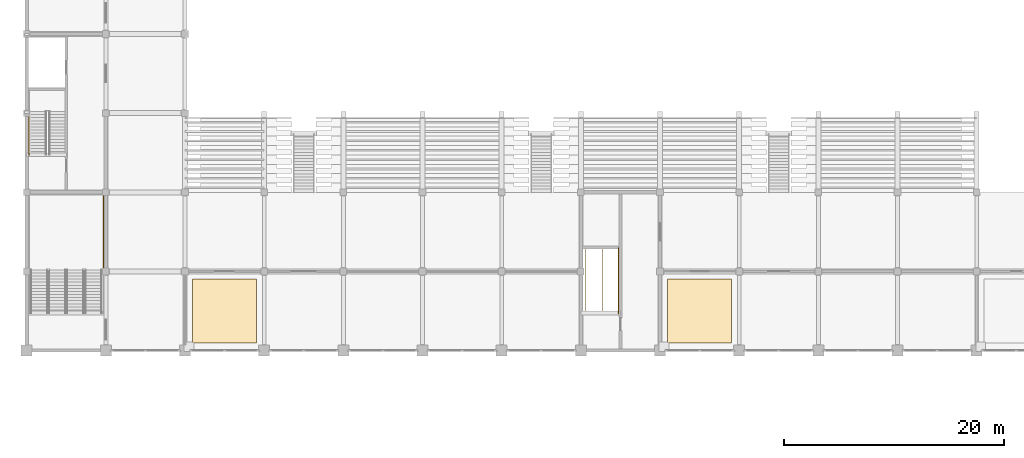
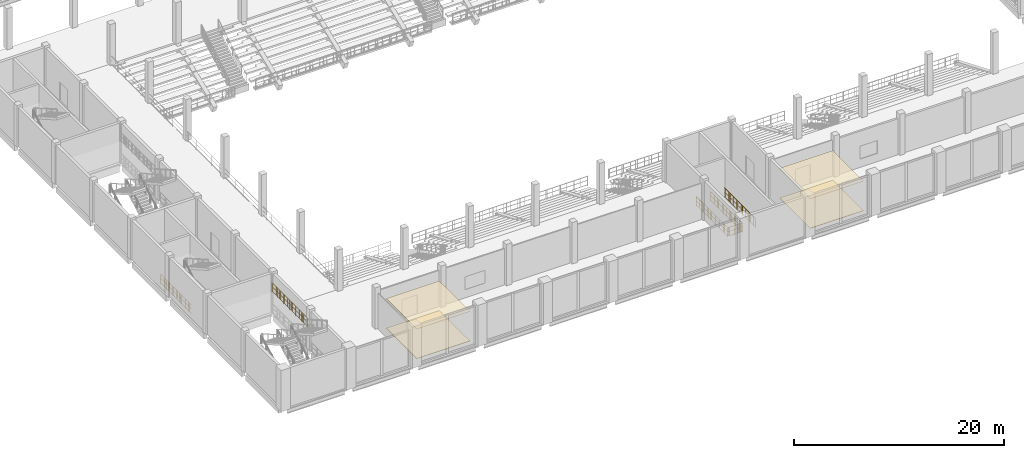
# One storey, part 80 of 99: 4 coverings, 4 railings.
"""IFC4 building model written with IfcOpenShell, lengths in metres."""

import ifcopenshell
import ifcopenshell.guid

model = None  # the IFC model being written
_history = None  # IfcOwnerHistory: only IFC2X3 demands one
_inside = {}  # id of a spatial element -> (the spatial element, [elements in it])
_under = {}  # id of a project, library or spatial element -> (it, [spatial elements below it])
_declared = {}  # id of a project -> (the project, [libraries it declares])
_typed = {}  # id of a type object -> (the type object, [elements of that type])
_made_of = {}  # id of a material, layer set ... -> (it, [elements and type objects made of it])


def new_model(schema):
    """Start an empty IFC model of exactly this schema.

    Asked for "IFC4X3", IfcOpenShell would pick the latest addendum, in which some entities
    have other attributes; the version numbers below select the first issue.
    IFC2X3 requires an IfcOwnerHistory on every rooted entity: one is made here for all.
    """
    global model, _history
    if schema == "IFC4X3":
        model = ifcopenshell.file(schema_version=(4, 3, 0, 0))
    else:
        model = ifcopenshell.file(schema=schema)
    _inside.clear()
    _under.clear()
    _declared.clear()
    _typed.clear()
    _made_of.clear()
    _history = None
    if model.schema == "IFC2X3":
        org = make("IfcOrganization", Name="unknown")
        user = make(
            "IfcPersonAndOrganization",
            ThePerson=make("IfcPerson", FamilyName="unknown"),
            TheOrganization=org,
        )
        app = make(
            "IfcApplication",
            ApplicationDeveloper=org,
            Version="unknown",
            ApplicationFullName="unknown",
            ApplicationIdentifier="unknown",
        )
        _history = make(
            "IfcOwnerHistory",
            OwningUser=user,
            OwningApplication=app,
            ChangeAction="ADDED",
            CreationDate=0,
        )
    return model


def make(cls, **values):
    """One entity of the class cls with the attributes given. An attribute that is None is left unset."""
    return model.create_entity(
        cls, **{name: value for name, value in values.items() if value is not None}
    )


def rooted(cls, **values):
    """An entity with a GlobalId (a new one), such as an element, a storey or a relation."""
    return make(cls, GlobalId=ifcopenshell.guid.new(), OwnerHistory=_history, **values)


def si_unit(unit_type, name, prefix=None):
    """IfcSIUnit, for example si_unit("LENGTHUNIT", "METRE", prefix="MILLI")."""
    return make("IfcSIUnit", UnitType=unit_type, Prefix=prefix, Name=name)


def assignment(units):
    """IfcUnitAssignment: the units of a project."""
    return None if units is None else make("IfcUnitAssignment", Units=units)


def point(xyz):
    """IfcCartesianPoint."""
    return None if xyz is None else make("IfcCartesianPoint", Coordinates=xyz)


def direction(xyz):
    """IfcDirection."""
    return None if xyz is None else make("IfcDirection", DirectionRatios=xyz)


def frame(location, z_axis=None, x_axis=None):
    """IfcAxis2Placement3D, a coordinate frame: its origin and axes. An axis left out is left unset."""
    return make(
        "IfcAxis2Placement3D",
        Location=point(location),
        Axis=direction(z_axis),
        RefDirection=direction(x_axis),
    )


def frame_2d(location, x_axis=None):
    """IfcAxis2Placement2D, a coordinate frame in the plane: its origin and x axis."""
    return make(
        "IfcAxis2Placement2D", Location=point(location), RefDirection=direction(x_axis)
    )


def origin():
    """The frame at (0, 0, 0) with its axes left unset."""
    return frame((0.0, 0.0, 0.0))


def origin_2d():
    """The frame at (0, 0) in the plane with its x axis left unset."""
    return frame_2d((0.0, 0.0))


def place(relative_to, where):
    """IfcLocalPlacement: puts the frame where relative to a parent placement (None: the world)."""
    return make(
        "IfcLocalPlacement", PlacementRelTo=relative_to, RelativePlacement=where
    )


def context(
    kind, dimensions, precision=None, world=None, true_north=None, identifier=None
):
    """IfcGeometricRepresentationContext, for example the 3D "Model" context."""
    return make(
        "IfcGeometricRepresentationContext",
        ContextIdentifier=identifier,
        ContextType=kind,
        CoordinateSpaceDimension=dimensions,
        Precision=precision,
        WorldCoordinateSystem=world,
        TrueNorth=true_north,
    )


def subcontext(parent, identifier, kind, view, scale=None):
    """IfcGeometricRepresentationSubContext, for example "Body" below "Model"."""
    return make(
        "IfcGeometricRepresentationSubContext",
        ContextIdentifier=identifier,
        ContextType=kind,
        ParentContext=parent,
        TargetScale=scale,
        TargetView=view,
    )


def project(units=None, contexts=None):
    """IfcProject with its units and contexts."""
    return rooted(
        "IfcProject",
        Name="project",
        RepresentationContexts=contexts,
        UnitsInContext=assignment(units),
    )


def spatial(cls, under=None, at=None, **own):
    """A site, building, storey or space (cls), placed at a placement, below another one or the project."""
    s = rooted(cls, ObjectPlacement=at, **own)
    if under is not None:
        _under.setdefault(under.id(), (under, []))[1].append(s)
    return s


def polyline(points):
    """IfcPolyline through the points."""
    return make("IfcPolyline", Points=[point(p) for p in points])


def profile(cls, at=None, kind="AREA", **sizes):
    """A parametric profile (cls). Its sizes go by their IFC names, for example OverallWidth=200.0."""
    return make(cls, ProfileType=kind, Position=at, **sizes)


def circle(**sizes):
    """IfcCircleProfileDef."""
    return profile("IfcCircleProfileDef", **sizes)


def outline(outer, holes=None, kind="AREA"):
    """IfcArbitraryClosedProfileDef: a profile drawn as a closed curve; with holes, ...WithVoids."""
    if holes is None:
        return make("IfcArbitraryClosedProfileDef", ProfileType=kind, OuterCurve=outer)
    return make(
        "IfcArbitraryProfileDefWithVoids",
        ProfileType=kind,
        OuterCurve=outer,
        InnerCurves=holes,
    )


def extrude(swept, where, along, depth):
    """IfcExtrudedAreaSolid: the profile swept, set in the frame where, extruded along a direction by depth."""
    return make(
        "IfcExtrudedAreaSolid",
        SweptArea=swept,
        Position=where,
        ExtrudedDirection=direction(along),
        Depth=depth,
    )


def shape(context_of_items, identifier, shape_type, items):
    """IfcShapeRepresentation: the items that make up one representation, for example the "Body"."""
    return make(
        "IfcShapeRepresentation",
        ContextOfItems=context_of_items,
        RepresentationIdentifier=identifier,
        RepresentationType=shape_type,
        Items=items,
    )


def material(Name=None, Category=None):
    """IfcMaterial."""
    return make("IfcMaterial", Name=Name, Category=Category)


def layer(
    of_material, thickness, ventilated=None, Name=None, Category=None, Priority=None
):
    """IfcMaterialLayer: one layer of a wall or slab, of a material (None: an air gap)."""
    return make(
        "IfcMaterialLayer",
        Material=of_material,
        LayerThickness=thickness,
        IsVentilated=ventilated,
        Name=Name,
        Category=Category,
        Priority=Priority,
    )


def layer_set(layers, Name=None):
    """IfcMaterialLayerSet."""
    return make("IfcMaterialLayerSet", MaterialLayers=layers, LayerSetName=Name)


def made_of(thing, what):
    """Note that an element or type object is made of a material, layer set ...; save() writes the relation."""
    if what is not None:
        _made_of.setdefault(what.id(), (what, []))[1].append(thing)
    return thing


def type_object(cls, material=None, **own):
    """A type object (cls), such as IfcWallType, which elements share."""
    return made_of(rooted(cls, **own), material)


def element(
    cls,
    number,
    at=None,
    inside=None,
    cuts=None,
    type_object=None,
    material=None,
    context=None,
    identifier="Body",
    shape_type=None,
    held_by="IfcProductDefinitionShape",
    body=None,
    shapes=None,
    **own,
):
    """One element of the class cls, such as IfcWall. Its Tag is "e" and its number.

    at: its placement. inside: the storey or other place that contains it. cuts: it is an
    opening in that element (IfcRelVoidsElement). A single representation is given by context,
    identifier, shape_type and body (its items); several are given by shapes. held_by: the class
    of the entity that holds the representations. save() writes the other relations.
    """
    e = rooted(cls, Tag="e%d" % number, ObjectPlacement=at, **own)
    if body is not None:
        shapes = [shape(context, identifier, shape_type, body)]
    if shapes is not None:
        e.Representation = make(held_by, Representations=shapes)
    if inside is not None:
        _inside.setdefault(inside.id(), (inside, []))[1].append(e)
    if cuts is not None:
        rooted(
            "IfcRelVoidsElement", RelatingBuildingElement=cuts, RelatedOpeningElement=e
        )
    if type_object is not None:
        _typed.setdefault(type_object.id(), (type_object, []))[1].append(e)
    return made_of(e, material)


def aggregate(whole, parts):
    """IfcRelAggregates: a whole, such as a stair, and the parts it consists of."""
    return rooted("IfcRelAggregates", RelatingObject=whole, RelatedObjects=parts)


def save(model, path):
    """Write the relations noted so far, then the file.

    IfcRelAggregates (storeys below a building ...), IfcRelContainedInSpatialStructure (elements
    in a storey), IfcRelDefinesByType, IfcRelAssociatesMaterial and IfcRelDeclares: one each for
    every whole, place, type object, material and project.
    """
    for whole, parts in _under.values():
        aggregate(whole, parts)
    for where, things in _inside.values():
        rooted(
            "IfcRelContainedInSpatialStructure",
            RelatedElements=things,
            RelatingStructure=where,
        )
    for kind, things in _typed.values():
        rooted("IfcRelDefinesByType", RelatedObjects=things, RelatingType=kind)
    for what, things in _made_of.values():
        rooted("IfcRelAssociatesMaterial", RelatedObjects=things, RelatingMaterial=what)
    for by, libraries in _declared.values():
        rooted("IfcRelDeclares", RelatingContext=by, RelatedDefinitions=libraries)
    model.write(path)


model = new_model("IFC4")

# Units and contexts
model_context = context("Model", 3, precision=1e-05, world=origin(), true_north=direction((0.0, 1.0)))
body_context = subcontext(model_context, "Body", "Model", "MODEL_VIEW")
ifc_project = project(units=[si_unit("LENGTHUNIT", "METRE"), si_unit("AREAUNIT", "SQUARE_METRE"), si_unit("VOLUMEUNIT", "CUBIC_METRE"), si_unit("PLANEANGLEUNIT", "RADIAN"), si_unit("MASSUNIT", "GRAM", prefix="KILO")], contexts=[model_context])

# Site, building, storey
site_placement = place(None, origin())
site = spatial("IfcSite", under=ifc_project, at=site_placement, CompositionType="ELEMENT")
building_placement = place(site_placement, origin())
building = spatial("IfcBuilding", under=site, at=building_placement, Name="Vesperath Aquatics Centre", CompositionType="ELEMENT")
storey_placement = place(building_placement, frame((0.0, 0.0, 5.39990234375)))
storey = spatial("IfcBuildingStorey", under=building, at=storey_placement, Name="L01", CompositionType="ELEMENT", Elevation=5.39990234375)

# Coverings
ifc_material_1 = material(Name="Perforated moisture-resistant acoustic mineral-fibre ceiling", Category="gypsum")
ifc_layer_1 = layer(ifc_material_1, 0.044921875)
ifc_layer_set_1 = layer_set([ifc_layer_1], Name="Perforated moisture-resistant acoustic mineral-fibre ceiling")
covering_type_1 = type_object("IfcCoveringType", Name="CV-CLG01", PredefinedType="CEILING", material=ifc_layer_set_1)
covering_1_placement = place(storey_placement, frame((0.0, 0.0, 3.425048828125)))
element("IfcCovering", 1, at=covering_1_placement, inside=storey, type_object=covering_type_1, Name="Acoustic Suspended Ceiling CLG1 L01_KIOSK_S1", PredefinedType="CEILING", context=body_context, shape_type="SweptSolid", body=[
    extrude(outline(polyline([(15.080078125, 15.080078125), (20.919921875, 15.080078125), (20.919921875, 20.919921875), (15.080078125, 20.919921875), (15.080078125, 15.080078125)])), origin(), (0.0, 0.0, 1.0), 0.045166015625),
])
covering_2_placement = place(storey_placement, frame((0.0, 0.0, 3.425048828125)))
element("IfcCovering", 2, at=covering_2_placement, inside=storey, type_object=covering_type_1, Name="Acoustic Suspended Ceiling CLG1 L01_KIOSK_S2", PredefinedType="CEILING", context=body_context, shape_type="SweptSolid", body=[
    extrude(outline(polyline([(58.280029296875, 15.080078125), (64.1201171875, 15.080078125), (64.1201171875, 20.919921875), (58.280029296875, 20.919921875), (58.280029296875, 15.080078125)])), origin(), (0.0, 0.0, 1.0), 0.045166015625),
])
ifc_material_2 = material(Name="Slip-resistant vitrified ceramic and terrazzo flooring", Category="ceramic")
ifc_layer_2 = layer(ifc_material_2, 0.030029296875)
ifc_layer_set_2 = layer_set([ifc_layer_2], Name="Slip-resistant vitrified ceramic and terrazzo flooring")
covering_type_2 = type_object("IfcCoveringType", Name="CV-FLR01", PredefinedType="FLOORING", material=ifc_layer_set_2)
covering_3_placement = place(storey_placement, origin())
element("IfcCovering", 3, at=covering_3_placement, inside=storey, type_object=covering_type_2, Name="Slip-Resistant Floor Finish FLR1 L01_KIOSK_S1", PredefinedType="FLOORING", context=body_context, shape_type="SweptSolid", body=[
    extrude(outline(polyline([(15.080078125, 15.080078125), (20.919921875, 15.080078125), (20.919921875, 20.919921875), (15.080078125, 20.919921875), (15.080078125, 15.080078125)])), origin(), (0.0, 0.0, 1.0), 0.030029296875),
])
covering_4_placement = place(storey_placement, origin())
element("IfcCovering", 4, at=covering_4_placement, inside=storey, type_object=covering_type_2, Name="Slip-Resistant Floor Finish FLR1 L01_KIOSK_S2", PredefinedType="FLOORING", context=body_context, shape_type="SweptSolid", body=[
    extrude(outline(polyline([(58.280029296875, 15.080078125), (64.1201171875, 15.080078125), (64.1201171875, 20.919921875), (58.280029296875, 20.919921875), (58.280029296875, 15.080078125)])), origin(), (0.0, 0.0, 1.0), 0.030029296875),
])

# Railings
ifc_material_3 = material(Name="Powder-coated galvanized steel safety guard", Category="steel")
railing_type = type_object("IfcRailingType", Name="RL-GRD01", PredefinedType="GUARDRAIL", material=ifc_material_3)
railing_1_placement = place(storey_placement, frame((0.219970703125, 32.199951171875, 0.0)))
element("IfcRailing", 5, at=railing_1_placement, inside=storey, type_object=railing_type, Name="Stair ST1 Shaft Side Guard GR02 L01", PredefinedType="GUARDRAIL", context=body_context, shape_type="SweptSolid", body=[
    extrude(circle(Radius=0.02392578125, at=origin_2d()), frame((0.0, 0.0, 1.0859375), z_axis=(0.0, 1.0, 0.0), x_axis=(-1.0, 0.0, 0.0)), (0.0, 0.0, 1.0), 5.840087890625),
    extrude(circle(Radius=0.01611328125, at=origin_2d()), frame((0.0, 0.0, 0.10009765625), z_axis=(0.0, 1.0, 0.0), x_axis=(-1.0, 0.0, 0.0)), (0.0, 0.0, 1.0), 5.840087890625),
    extrude(circle(Radius=0.01611328125, at=origin_2d()), frame((0.0, 0.0, 0.610595703125), z_axis=(0.0, 1.0, 0.0), x_axis=(-1.0, 0.0, 0.0)), (0.0, 0.0, 1.0), 5.840087890625),
    extrude(circle(Radius=0.009033203125, at=origin_2d()), frame((0.0, 0.108154296875, 0.10009765625)), (0.0, 0.0, 1.0), 0.9619140625),
    extrude(circle(Radius=0.009033203125, at=origin_2d()), frame((0.0, 0.324462890625, 0.10009765625)), (0.0, 0.0, 1.0), 0.9619140625),
    extrude(circle(Radius=0.009033203125, at=origin_2d()), frame((0.0, 0.540771484375, 0.10009765625)), (0.0, 0.0, 1.0), 0.9619140625),
    extrude(circle(Radius=0.009033203125, at=origin_2d()), frame((0.0, 0.757080078125, 0.10009765625)), (0.0, 0.0, 1.0), 0.9619140625),
    extrude(circle(Radius=0.009033203125, at=origin_2d()), frame((0.0, 0.973388671875, 0.10009765625)), (0.0, 0.0, 1.0), 0.9619140625),
    extrude(circle(Radius=0.009033203125, at=origin_2d()), frame((0.0, 1.189697265625, 0.10009765625)), (0.0, 0.0, 1.0), 0.9619140625),
    extrude(circle(Radius=0.009033203125, at=origin_2d()), frame((0.0, 1.406005859375, 0.10009765625)), (0.0, 0.0, 1.0), 0.9619140625),
    extrude(circle(Radius=0.009033203125, at=origin_2d()), frame((0.0, 1.622314453125, 0.10009765625)), (0.0, 0.0, 1.0), 0.9619140625),
    extrude(circle(Radius=0.009033203125, at=origin_2d()), frame((0.0, 1.838623046875, 0.10009765625)), (0.0, 0.0, 1.0), 0.9619140625),
    extrude(circle(Radius=0.009033203125, at=origin_2d()), frame((0.0, 2.054931640625, 0.10009765625)), (0.0, 0.0, 1.0), 0.9619140625),
    extrude(circle(Radius=0.009033203125, at=origin_2d()), frame((0.0, 2.271240234375, 0.10009765625)), (0.0, 0.0, 1.0), 0.9619140625),
    extrude(circle(Radius=0.009033203125, at=origin_2d()), frame((0.0, 2.487548828125, 0.10009765625)), (0.0, 0.0, 1.0), 0.9619140625),
    extrude(circle(Radius=0.009033203125, at=origin_2d()), frame((0.0, 2.703857421875, 0.10009765625)), (0.0, 0.0, 1.0), 0.9619140625),
    extrude(circle(Radius=0.009033203125, at=origin_2d()), frame((0.0, 2.919921875, 0.10009765625)), (0.0, 0.0, 1.0), 0.9619140625),
    extrude(circle(Radius=0.009033203125, at=origin_2d()), frame((0.0, 3.13623046875, 0.10009765625)), (0.0, 0.0, 1.0), 0.9619140625),
    extrude(circle(Radius=0.009033203125, at=origin_2d()), frame((0.0, 3.3525390625, 0.10009765625)), (0.0, 0.0, 1.0), 0.9619140625),
    extrude(circle(Radius=0.009033203125, at=origin_2d()), frame((0.0, 3.56884765625, 0.10009765625)), (0.0, 0.0, 1.0), 0.9619140625),
    extrude(circle(Radius=0.009033203125, at=origin_2d()), frame((0.0, 3.78515625, 0.10009765625)), (0.0, 0.0, 1.0), 0.9619140625),
    extrude(circle(Radius=0.009033203125, at=origin_2d()), frame((0.0, 4.00146484375, 0.10009765625)), (0.0, 0.0, 1.0), 0.9619140625),
    extrude(circle(Radius=0.009033203125, at=origin_2d()), frame((0.0, 4.2177734375, 0.10009765625)), (0.0, 0.0, 1.0), 0.9619140625),
    extrude(circle(Radius=0.009033203125, at=origin_2d()), frame((0.0, 4.43408203125, 0.10009765625)), (0.0, 0.0, 1.0), 0.9619140625),
    extrude(circle(Radius=0.009033203125, at=origin_2d()), frame((0.0, 4.650390625, 0.10009765625)), (0.0, 0.0, 1.0), 0.9619140625),
    extrude(circle(Radius=0.009033203125, at=origin_2d()), frame((0.0, 4.86669921875, 0.10009765625)), (0.0, 0.0, 1.0), 0.9619140625),
    extrude(circle(Radius=0.009033203125, at=origin_2d()), frame((0.0, 5.0830078125, 0.10009765625)), (0.0, 0.0, 1.0), 0.9619140625),
    extrude(circle(Radius=0.009033203125, at=origin_2d()), frame((0.0, 5.29931640625, 0.10009765625)), (0.0, 0.0, 1.0), 0.9619140625),
    extrude(circle(Radius=0.009033203125, at=origin_2d()), frame((0.0, 5.515625, 0.10009765625)), (0.0, 0.0, 1.0), 0.9619140625),
    extrude(circle(Radius=0.009033203125, at=origin_2d()), frame((0.0, 5.73193359375, 0.10009765625)), (0.0, 0.0, 1.0), 0.9619140625),
    extrude(circle(Radius=0.02197265625, at=origin_2d()), origin(), (0.0, 0.0, 1.0), 1.0859375),
    extrude(circle(Radius=0.02197265625, at=origin_2d()), frame((0.0, 1.16796875, 0.0)), (0.0, 0.0, 1.0), 1.0859375),
    extrude(circle(Radius=0.02197265625, at=origin_2d()), frame((0.0, 2.3359375, 0.0)), (0.0, 0.0, 1.0), 1.0859375),
    extrude(circle(Radius=0.02197265625, at=origin_2d()), frame((0.0, 3.504150390625, 0.0)), (0.0, 0.0, 1.0), 1.0859375),
    extrude(circle(Radius=0.02197265625, at=origin_2d()), frame((0.0, 4.672119140625, 0.0)), (0.0, 0.0, 1.0), 1.0859375),
    extrude(circle(Radius=0.02197265625, at=origin_2d()), frame((0.0, 5.840087890625, 0.0)), (0.0, 0.0, 1.0), 1.0859375),
])
railing_2_placement = place(storey_placement, frame((50.780029296875, 23.739990234375, 0.0)))
element("IfcRailing", 6, at=railing_2_placement, inside=storey, type_object=railing_type, Name="Stair ST9 Top Well Guard GR02 L01", PredefinedType="GUARDRAIL", context=body_context, shape_type="SweptSolid", body=[
    extrude(circle(Radius=0.02392578125, at=origin_2d()), frame((0.0, 0.0, 1.0859375), z_axis=(0.0, -1.0, 0.0), x_axis=(1.0, 0.0, 0.0)), (0.0, 0.0, 1.0), 5.9599609375),
    extrude(circle(Radius=0.01611328125, at=origin_2d()), frame((0.0, 0.0, 0.10009765625), z_axis=(0.0, -1.0, 0.0), x_axis=(1.0, 0.0, 0.0)), (0.0, 0.0, 1.0), 5.9599609375),
    extrude(circle(Radius=0.01611328125, at=origin_2d()), frame((0.0, 0.0, 0.610595703125), z_axis=(0.0, -1.0, 0.0), x_axis=(1.0, 0.0, 0.0)), (0.0, 0.0, 1.0), 5.9599609375),
    extrude(circle(Radius=0.009033203125, at=origin_2d()), frame((0.0, -0.1083984375, 0.10009765625)), (0.0, 0.0, 1.0), 0.9619140625),
    extrude(circle(Radius=0.009033203125, at=origin_2d()), frame((0.0, -0.3251953125, 0.10009765625)), (0.0, 0.0, 1.0), 0.9619140625),
    extrude(circle(Radius=0.009033203125, at=origin_2d()), frame((0.0, -0.541748046875, 0.10009765625)), (0.0, 0.0, 1.0), 0.9619140625),
    extrude(circle(Radius=0.009033203125, at=origin_2d()), frame((0.0, -0.758544921875, 0.10009765625)), (0.0, 0.0, 1.0), 0.9619140625),
    extrude(circle(Radius=0.009033203125, at=origin_2d()), frame((0.0, -0.975341796875, 0.10009765625)), (0.0, 0.0, 1.0), 0.9619140625),
    extrude(circle(Radius=0.009033203125, at=origin_2d()), frame((0.0, -1.19189453125, 0.10009765625)), (0.0, 0.0, 1.0), 0.9619140625),
    extrude(circle(Radius=0.009033203125, at=origin_2d()), frame((0.0, -1.40869140625, 0.10009765625)), (0.0, 0.0, 1.0), 0.9619140625),
    extrude(circle(Radius=0.009033203125, at=origin_2d()), frame((0.0, -1.62548828125, 0.10009765625)), (0.0, 0.0, 1.0), 0.9619140625),
    extrude(circle(Radius=0.009033203125, at=origin_2d()), frame((0.0, -1.84228515625, 0.10009765625)), (0.0, 0.0, 1.0), 0.9619140625),
    extrude(circle(Radius=0.009033203125, at=origin_2d()), frame((0.0, -2.058837890625, 0.10009765625)), (0.0, 0.0, 1.0), 0.9619140625),
    extrude(circle(Radius=0.009033203125, at=origin_2d()), frame((0.0, -2.275634765625, 0.10009765625)), (0.0, 0.0, 1.0), 0.9619140625),
    extrude(circle(Radius=0.009033203125, at=origin_2d()), frame((0.0, -2.492431640625, 0.10009765625)), (0.0, 0.0, 1.0), 0.9619140625),
    extrude(circle(Radius=0.009033203125, at=origin_2d()), frame((0.0, -2.708984375, 0.10009765625)), (0.0, 0.0, 1.0), 0.9619140625),
    extrude(circle(Radius=0.009033203125, at=origin_2d()), frame((0.0, -2.92578125, 0.10009765625)), (0.0, 0.0, 1.0), 0.9619140625),
    extrude(circle(Radius=0.009033203125, at=origin_2d()), frame((0.0, -3.142578125, 0.10009765625)), (0.0, 0.0, 1.0), 0.9619140625),
    extrude(circle(Radius=0.009033203125, at=origin_2d()), frame((0.0, -3.359130859375, 0.10009765625)), (0.0, 0.0, 1.0), 0.9619140625),
    extrude(circle(Radius=0.009033203125, at=origin_2d()), frame((0.0, -3.575927734375, 0.10009765625)), (0.0, 0.0, 1.0), 0.9619140625),
    extrude(circle(Radius=0.009033203125, at=origin_2d()), frame((0.0, -3.792724609375, 0.10009765625)), (0.0, 0.0, 1.0), 0.9619140625),
    extrude(circle(Radius=0.009033203125, at=origin_2d()), frame((0.0, -4.009521484375, 0.10009765625)), (0.0, 0.0, 1.0), 0.9619140625),
    extrude(circle(Radius=0.009033203125, at=origin_2d()), frame((0.0, -4.22607421875, 0.10009765625)), (0.0, 0.0, 1.0), 0.9619140625),
    extrude(circle(Radius=0.009033203125, at=origin_2d()), frame((0.0, -4.44287109375, 0.10009765625)), (0.0, 0.0, 1.0), 0.9619140625),
    extrude(circle(Radius=0.009033203125, at=origin_2d()), frame((0.0, -4.65966796875, 0.10009765625)), (0.0, 0.0, 1.0), 0.9619140625),
    extrude(circle(Radius=0.009033203125, at=origin_2d()), frame((0.0, -4.876220703125, 0.10009765625)), (0.0, 0.0, 1.0), 0.9619140625),
    extrude(circle(Radius=0.009033203125, at=origin_2d()), frame((0.0, -5.093017578125, 0.10009765625)), (0.0, 0.0, 1.0), 0.9619140625),
    extrude(circle(Radius=0.009033203125, at=origin_2d()), frame((0.0, -5.309814453125, 0.10009765625)), (0.0, 0.0, 1.0), 0.9619140625),
    extrude(circle(Radius=0.009033203125, at=origin_2d()), frame((0.0, -5.526611328125, 0.10009765625)), (0.0, 0.0, 1.0), 0.9619140625),
    extrude(circle(Radius=0.009033203125, at=origin_2d()), frame((0.0, -5.7431640625, 0.10009765625)), (0.0, 0.0, 1.0), 0.9619140625),
    extrude(circle(Radius=0.02392578125, at=origin_2d()), frame((0.0, -5.9599609375, 1.0859375), z_axis=(1.0, 0.0, 0.0), x_axis=(0.0, 1.0, 0.0)), (0.0, 0.0, 1.0), 1.580078125),
    extrude(circle(Radius=0.01611328125, at=origin_2d()), frame((0.0, -5.9599609375, 0.10009765625), z_axis=(1.0, 0.0, 0.0), x_axis=(0.0, 1.0, 0.0)), (0.0, 0.0, 1.0), 1.580078125),
    extrude(circle(Radius=0.01611328125, at=origin_2d()), frame((0.0, -5.9599609375, 0.610595703125), z_axis=(1.0, 0.0, 0.0), x_axis=(0.0, 1.0, 0.0)), (0.0, 0.0, 1.0), 1.580078125),
    extrude(circle(Radius=0.009033203125, at=origin_2d()), frame((0.105224609375, -5.9599609375, 0.10009765625)), (0.0, 0.0, 1.0), 0.9619140625),
    extrude(circle(Radius=0.009033203125, at=origin_2d()), frame((0.210693359375, -5.9599609375, 0.10009765625)), (0.0, 0.0, 1.0), 0.9619140625),
    extrude(circle(Radius=0.009033203125, at=origin_2d()), frame((0.31591796875, -5.9599609375, 0.10009765625)), (0.0, 0.0, 1.0), 0.9619140625),
    extrude(circle(Radius=0.009033203125, at=origin_2d()), frame((0.42138671875, -5.9599609375, 0.10009765625)), (0.0, 0.0, 1.0), 0.9619140625),
    extrude(circle(Radius=0.009033203125, at=origin_2d()), frame((0.526611328125, -5.9599609375, 0.10009765625)), (0.0, 0.0, 1.0), 0.9619140625),
    extrude(circle(Radius=0.009033203125, at=origin_2d()), frame((0.632080078125, -5.9599609375, 0.10009765625)), (0.0, 0.0, 1.0), 0.9619140625),
    extrude(circle(Radius=0.009033203125, at=origin_2d()), frame((0.7373046875, -5.9599609375, 0.10009765625)), (0.0, 0.0, 1.0), 0.9619140625),
    extrude(circle(Radius=0.009033203125, at=origin_2d()), frame((0.8427734375, -5.9599609375, 0.10009765625)), (0.0, 0.0, 1.0), 0.9619140625),
    extrude(circle(Radius=0.009033203125, at=origin_2d()), frame((0.947998046875, -5.9599609375, 0.10009765625)), (0.0, 0.0, 1.0), 0.9619140625),
    extrude(circle(Radius=0.009033203125, at=origin_2d()), frame((1.053466796875, -5.9599609375, 0.10009765625)), (0.0, 0.0, 1.0), 0.9619140625),
    extrude(circle(Radius=0.009033203125, at=origin_2d()), frame((1.15869140625, -5.9599609375, 0.10009765625)), (0.0, 0.0, 1.0), 0.9619140625),
    extrude(circle(Radius=0.009033203125, at=origin_2d()), frame((1.26416015625, -5.9599609375, 0.10009765625)), (0.0, 0.0, 1.0), 0.9619140625),
    extrude(circle(Radius=0.009033203125, at=origin_2d()), frame((1.369384765625, -5.9599609375, 0.10009765625)), (0.0, 0.0, 1.0), 0.9619140625),
    extrude(circle(Radius=0.009033203125, at=origin_2d()), frame((1.474853515625, -5.9599609375, 0.10009765625)), (0.0, 0.0, 1.0), 0.9619140625),
    extrude(circle(Radius=0.02392578125, at=origin_2d()), frame((1.580078125, -5.9599609375, 1.0859375), z_axis=(0.0, 1.0, 0.0), x_axis=(-1.0, 0.0, 0.0)), (0.0, 0.0, 1.0), 5.9599609375),
    extrude(circle(Radius=0.01611328125, at=origin_2d()), frame((1.580078125, -5.9599609375, 0.10009765625), z_axis=(0.0, 1.0, 0.0), x_axis=(-1.0, 0.0, 0.0)), (0.0, 0.0, 1.0), 5.9599609375),
    extrude(circle(Radius=0.01611328125, at=origin_2d()), frame((1.580078125, -5.9599609375, 0.610595703125), z_axis=(0.0, 1.0, 0.0), x_axis=(-1.0, 0.0, 0.0)), (0.0, 0.0, 1.0), 5.9599609375),
    extrude(circle(Radius=0.009033203125, at=origin_2d()), frame((1.580078125, -5.8515625, 0.10009765625)), (0.0, 0.0, 1.0), 0.9619140625),
    extrude(circle(Radius=0.009033203125, at=origin_2d()), frame((1.580078125, -5.634765625, 0.10009765625)), (0.0, 0.0, 1.0), 0.9619140625),
    extrude(circle(Radius=0.009033203125, at=origin_2d()), frame((1.580078125, -5.418212890625, 0.10009765625)), (0.0, 0.0, 1.0), 0.9619140625),
    extrude(circle(Radius=0.009033203125, at=origin_2d()), frame((1.580078125, -5.201416015625, 0.10009765625)), (0.0, 0.0, 1.0), 0.9619140625),
    extrude(circle(Radius=0.009033203125, at=origin_2d()), frame((1.580078125, -4.984619140625, 0.10009765625)), (0.0, 0.0, 1.0), 0.9619140625),
    extrude(circle(Radius=0.009033203125, at=origin_2d()), frame((1.580078125, -4.76806640625, 0.10009765625)), (0.0, 0.0, 1.0), 0.9619140625),
    extrude(circle(Radius=0.009033203125, at=origin_2d()), frame((1.580078125, -4.55126953125, 0.10009765625)), (0.0, 0.0, 1.0), 0.9619140625),
    extrude(circle(Radius=0.009033203125, at=origin_2d()), frame((1.580078125, -4.33447265625, 0.10009765625)), (0.0, 0.0, 1.0), 0.9619140625),
    extrude(circle(Radius=0.009033203125, at=origin_2d()), frame((1.580078125, -4.11767578125, 0.10009765625)), (0.0, 0.0, 1.0), 0.9619140625),
    extrude(circle(Radius=0.009033203125, at=origin_2d()), frame((1.580078125, -3.901123046875, 0.10009765625)), (0.0, 0.0, 1.0), 0.9619140625),
    extrude(circle(Radius=0.009033203125, at=origin_2d()), frame((1.580078125, -3.684326171875, 0.10009765625)), (0.0, 0.0, 1.0), 0.9619140625),
    extrude(circle(Radius=0.009033203125, at=origin_2d()), frame((1.580078125, -3.467529296875, 0.10009765625)), (0.0, 0.0, 1.0), 0.9619140625),
    extrude(circle(Radius=0.009033203125, at=origin_2d()), frame((1.580078125, -3.2509765625, 0.10009765625)), (0.0, 0.0, 1.0), 0.9619140625),
    extrude(circle(Radius=0.009033203125, at=origin_2d()), frame((1.580078125, -3.0341796875, 0.10009765625)), (0.0, 0.0, 1.0), 0.9619140625),
    extrude(circle(Radius=0.009033203125, at=origin_2d()), frame((1.580078125, -2.8173828125, 0.10009765625)), (0.0, 0.0, 1.0), 0.9619140625),
    extrude(circle(Radius=0.009033203125, at=origin_2d()), frame((1.580078125, -2.600830078125, 0.10009765625)), (0.0, 0.0, 1.0), 0.9619140625),
    extrude(circle(Radius=0.009033203125, at=origin_2d()), frame((1.580078125, -2.384033203125, 0.10009765625)), (0.0, 0.0, 1.0), 0.9619140625),
    extrude(circle(Radius=0.009033203125, at=origin_2d()), frame((1.580078125, -2.167236328125, 0.10009765625)), (0.0, 0.0, 1.0), 0.9619140625),
    extrude(circle(Radius=0.009033203125, at=origin_2d()), frame((1.580078125, -1.950439453125, 0.10009765625)), (0.0, 0.0, 1.0), 0.9619140625),
    extrude(circle(Radius=0.009033203125, at=origin_2d()), frame((1.580078125, -1.73388671875, 0.10009765625)), (0.0, 0.0, 1.0), 0.9619140625),
    extrude(circle(Radius=0.009033203125, at=origin_2d()), frame((1.580078125, -1.51708984375, 0.10009765625)), (0.0, 0.0, 1.0), 0.9619140625),
    extrude(circle(Radius=0.009033203125, at=origin_2d()), frame((1.580078125, -1.30029296875, 0.10009765625)), (0.0, 0.0, 1.0), 0.9619140625),
    extrude(circle(Radius=0.009033203125, at=origin_2d()), frame((1.580078125, -1.083740234375, 0.10009765625)), (0.0, 0.0, 1.0), 0.9619140625),
    extrude(circle(Radius=0.009033203125, at=origin_2d()), frame((1.580078125, -0.866943359375, 0.10009765625)), (0.0, 0.0, 1.0), 0.9619140625),
    extrude(circle(Radius=0.009033203125, at=origin_2d()), frame((1.580078125, -0.650146484375, 0.10009765625)), (0.0, 0.0, 1.0), 0.9619140625),
    extrude(circle(Radius=0.009033203125, at=origin_2d()), frame((1.580078125, -0.433349609375, 0.10009765625)), (0.0, 0.0, 1.0), 0.9619140625),
    extrude(circle(Radius=0.009033203125, at=origin_2d()), frame((1.580078125, -0.216796875, 0.10009765625)), (0.0, 0.0, 1.0), 0.9619140625),
    extrude(circle(Radius=0.02197265625, at=origin_2d()), origin(), (0.0, 0.0, 1.0), 1.0859375),
    extrude(circle(Radius=0.02197265625, at=origin_2d()), frame((0.0, -1.19189453125, 0.0)), (0.0, 0.0, 1.0), 1.0859375),
    extrude(circle(Radius=0.02197265625, at=origin_2d()), frame((0.0, -2.384033203125, 0.0)), (0.0, 0.0, 1.0), 1.0859375),
    extrude(circle(Radius=0.02197265625, at=origin_2d()), frame((0.0, -3.575927734375, 0.0)), (0.0, 0.0, 1.0), 1.0859375),
    extrude(circle(Radius=0.02197265625, at=origin_2d()), frame((0.0, -4.76806640625, 0.0)), (0.0, 0.0, 1.0), 1.0859375),
    extrude(circle(Radius=0.02197265625, at=origin_2d()), frame((0.0, -5.9599609375, 0.0)), (0.0, 0.0, 1.0), 1.0859375),
    extrude(circle(Radius=0.02197265625, at=origin_2d()), frame((0.7900390625, -5.9599609375, 0.0)), (0.0, 0.0, 1.0), 1.0859375),
    extrude(circle(Radius=0.02197265625, at=origin_2d()), frame((1.580078125, -5.9599609375, 0.0)), (0.0, 0.0, 1.0), 1.0859375),
    extrude(circle(Radius=0.02197265625, at=origin_2d()), frame((1.580078125, -4.76806640625, 0.0)), (0.0, 0.0, 1.0), 1.0859375),
    extrude(circle(Radius=0.02197265625, at=origin_2d()), frame((1.580078125, -3.575927734375, 0.0)), (0.0, 0.0, 1.0), 1.0859375),
    extrude(circle(Radius=0.02197265625, at=origin_2d()), frame((1.580078125, -2.384033203125, 0.0)), (0.0, 0.0, 1.0), 1.0859375),
    extrude(circle(Radius=0.02197265625, at=origin_2d()), frame((1.580078125, -1.19189453125, 0.0)), (0.0, 0.0, 1.0), 1.0859375),
    extrude(circle(Radius=0.02197265625, at=origin_2d()), frame((1.580078125, 0.0, 0.0)), (0.0, 0.0, 1.0), 1.0859375),
])
railing_3_placement = place(storey_placement, frame((53.820068359375, 17.780029296875, 0.0)))
element("IfcRailing", 7, at=railing_3_placement, inside=storey, type_object=railing_type, Name="Stair ST9 Top Side Guard GR02 L01", PredefinedType="GUARDRAIL", context=body_context, shape_type="SweptSolid", body=[
    extrude(circle(Radius=0.02392578125, at=origin_2d()), frame((0.0, 0.0, 1.0859375), z_axis=(0.0, 1.0, 0.0), x_axis=(-1.0, 0.0, 0.0)), (0.0, 0.0, 1.0), 5.9599609375),
    extrude(circle(Radius=0.01611328125, at=origin_2d()), frame((0.0, 0.0, 0.10009765625), z_axis=(0.0, 1.0, 0.0), x_axis=(-1.0, 0.0, 0.0)), (0.0, 0.0, 1.0), 5.9599609375),
    extrude(circle(Radius=0.01611328125, at=origin_2d()), frame((0.0, 0.0, 0.610595703125), z_axis=(0.0, 1.0, 0.0), x_axis=(-1.0, 0.0, 0.0)), (0.0, 0.0, 1.0), 5.9599609375),
    extrude(circle(Radius=0.009033203125, at=origin_2d()), frame((0.0, 0.1083984375, 0.10009765625)), (0.0, 0.0, 1.0), 0.9619140625),
    extrude(circle(Radius=0.009033203125, at=origin_2d()), frame((0.0, 0.3251953125, 0.10009765625)), (0.0, 0.0, 1.0), 0.9619140625),
    extrude(circle(Radius=0.009033203125, at=origin_2d()), frame((0.0, 0.541748046875, 0.10009765625)), (0.0, 0.0, 1.0), 0.9619140625),
    extrude(circle(Radius=0.009033203125, at=origin_2d()), frame((0.0, 0.758544921875, 0.10009765625)), (0.0, 0.0, 1.0), 0.9619140625),
    extrude(circle(Radius=0.009033203125, at=origin_2d()), frame((0.0, 0.975341796875, 0.10009765625)), (0.0, 0.0, 1.0), 0.9619140625),
    extrude(circle(Radius=0.009033203125, at=origin_2d()), frame((0.0, 1.19189453125, 0.10009765625)), (0.0, 0.0, 1.0), 0.9619140625),
    extrude(circle(Radius=0.009033203125, at=origin_2d()), frame((0.0, 1.40869140625, 0.10009765625)), (0.0, 0.0, 1.0), 0.9619140625),
    extrude(circle(Radius=0.009033203125, at=origin_2d()), frame((0.0, 1.62548828125, 0.10009765625)), (0.0, 0.0, 1.0), 0.9619140625),
    extrude(circle(Radius=0.009033203125, at=origin_2d()), frame((0.0, 1.84228515625, 0.10009765625)), (0.0, 0.0, 1.0), 0.9619140625),
    extrude(circle(Radius=0.009033203125, at=origin_2d()), frame((0.0, 2.058837890625, 0.10009765625)), (0.0, 0.0, 1.0), 0.9619140625),
    extrude(circle(Radius=0.009033203125, at=origin_2d()), frame((0.0, 2.275634765625, 0.10009765625)), (0.0, 0.0, 1.0), 0.9619140625),
    extrude(circle(Radius=0.009033203125, at=origin_2d()), frame((0.0, 2.492431640625, 0.10009765625)), (0.0, 0.0, 1.0), 0.9619140625),
    extrude(circle(Radius=0.009033203125, at=origin_2d()), frame((0.0, 2.708984375, 0.10009765625)), (0.0, 0.0, 1.0), 0.9619140625),
    extrude(circle(Radius=0.009033203125, at=origin_2d()), frame((0.0, 2.92578125, 0.10009765625)), (0.0, 0.0, 1.0), 0.9619140625),
    extrude(circle(Radius=0.009033203125, at=origin_2d()), frame((0.0, 3.142578125, 0.10009765625)), (0.0, 0.0, 1.0), 0.9619140625),
    extrude(circle(Radius=0.009033203125, at=origin_2d()), frame((0.0, 3.359130859375, 0.10009765625)), (0.0, 0.0, 1.0), 0.9619140625),
    extrude(circle(Radius=0.009033203125, at=origin_2d()), frame((0.0, 3.575927734375, 0.10009765625)), (0.0, 0.0, 1.0), 0.9619140625),
    extrude(circle(Radius=0.009033203125, at=origin_2d()), frame((0.0, 3.792724609375, 0.10009765625)), (0.0, 0.0, 1.0), 0.9619140625),
    extrude(circle(Radius=0.009033203125, at=origin_2d()), frame((0.0, 4.009521484375, 0.10009765625)), (0.0, 0.0, 1.0), 0.9619140625),
    extrude(circle(Radius=0.009033203125, at=origin_2d()), frame((0.0, 4.22607421875, 0.10009765625)), (0.0, 0.0, 1.0), 0.9619140625),
    extrude(circle(Radius=0.009033203125, at=origin_2d()), frame((0.0, 4.44287109375, 0.10009765625)), (0.0, 0.0, 1.0), 0.9619140625),
    extrude(circle(Radius=0.009033203125, at=origin_2d()), frame((0.0, 4.65966796875, 0.10009765625)), (0.0, 0.0, 1.0), 0.9619140625),
    extrude(circle(Radius=0.009033203125, at=origin_2d()), frame((0.0, 4.876220703125, 0.10009765625)), (0.0, 0.0, 1.0), 0.9619140625),
    extrude(circle(Radius=0.009033203125, at=origin_2d()), frame((0.0, 5.093017578125, 0.10009765625)), (0.0, 0.0, 1.0), 0.9619140625),
    extrude(circle(Radius=0.009033203125, at=origin_2d()), frame((0.0, 5.309814453125, 0.10009765625)), (0.0, 0.0, 1.0), 0.9619140625),
    extrude(circle(Radius=0.009033203125, at=origin_2d()), frame((0.0, 5.526611328125, 0.10009765625)), (0.0, 0.0, 1.0), 0.9619140625),
    extrude(circle(Radius=0.009033203125, at=origin_2d()), frame((0.0, 5.7431640625, 0.10009765625)), (0.0, 0.0, 1.0), 0.9619140625),
    extrude(circle(Radius=0.02197265625, at=origin_2d()), origin(), (0.0, 0.0, 1.0), 1.0859375),
    extrude(circle(Radius=0.02197265625, at=origin_2d()), frame((0.0, 1.19189453125, 0.0)), (0.0, 0.0, 1.0), 1.0859375),
    extrude(circle(Radius=0.02197265625, at=origin_2d()), frame((0.0, 2.384033203125, 0.0)), (0.0, 0.0, 1.0), 1.0859375),
    extrude(circle(Radius=0.02197265625, at=origin_2d()), frame((0.0, 3.575927734375, 0.0)), (0.0, 0.0, 1.0), 1.0859375),
    extrude(circle(Radius=0.02197265625, at=origin_2d()), frame((0.0, 4.76806640625, 0.0)), (0.0, 0.0, 1.0), 1.0859375),
    extrude(circle(Radius=0.02197265625, at=origin_2d()), frame((0.0, 5.9599609375, 0.0)), (0.0, 0.0, 1.0), 1.0859375),
])
railing_4_placement = place(storey_placement, frame((6.97998046875, 21.780029296875, 2.400146484375)))
element("IfcRailing", 8, at=railing_4_placement, inside=storey, type_object=railing_type, Name="Stair ST10B Half-Landing Wall Guard GR02 L01", PredefinedType="GUARDRAIL", context=body_context, shape_type="SweptSolid", body=[
    extrude(circle(Radius=0.02392578125, at=origin_2d()), frame((0.0, 0.0, 1.0859375), z_axis=(0.0, 1.0, 0.0), x_axis=(-1.0, 0.0, 0.0)), (0.0, 0.0, 1.0), 6.889892578125),
    extrude(circle(Radius=0.01611328125, at=origin_2d()), frame((0.0, 0.0, 0.10009765625), z_axis=(0.0, 1.0, 0.0), x_axis=(-1.0, 0.0, 0.0)), (0.0, 0.0, 1.0), 6.889892578125),
    extrude(circle(Radius=0.01611328125, at=origin_2d()), frame((0.0, 0.0, 0.610595703125), z_axis=(0.0, 1.0, 0.0), x_axis=(-1.0, 0.0, 0.0)), (0.0, 0.0, 1.0), 6.889892578125),
    extrude(circle(Radius=0.009033203125, at=origin_2d()), frame((0.0, 0.109375, 0.10009765625)), (0.0, 0.0, 1.0), 0.9619140625),
    extrude(circle(Radius=0.009033203125, at=origin_2d()), frame((0.0, 0.328125, 0.10009765625)), (0.0, 0.0, 1.0), 0.9619140625),
    extrude(circle(Radius=0.009033203125, at=origin_2d()), frame((0.0, 0.546875, 0.10009765625)), (0.0, 0.0, 1.0), 0.9619140625),
    extrude(circle(Radius=0.009033203125, at=origin_2d()), frame((0.0, 0.765625, 0.10009765625)), (0.0, 0.0, 1.0), 0.9619140625),
    extrude(circle(Radius=0.009033203125, at=origin_2d()), frame((0.0, 0.984375, 0.10009765625)), (0.0, 0.0, 1.0), 0.9619140625),
    extrude(circle(Radius=0.009033203125, at=origin_2d()), frame((0.0, 1.202880859375, 0.10009765625)), (0.0, 0.0, 1.0), 0.9619140625),
    extrude(circle(Radius=0.009033203125, at=origin_2d()), frame((0.0, 1.421630859375, 0.10009765625)), (0.0, 0.0, 1.0), 0.9619140625),
    extrude(circle(Radius=0.009033203125, at=origin_2d()), frame((0.0, 1.640380859375, 0.10009765625)), (0.0, 0.0, 1.0), 0.9619140625),
    extrude(circle(Radius=0.009033203125, at=origin_2d()), frame((0.0, 1.859130859375, 0.10009765625)), (0.0, 0.0, 1.0), 0.9619140625),
    extrude(circle(Radius=0.009033203125, at=origin_2d()), frame((0.0, 2.077880859375, 0.10009765625)), (0.0, 0.0, 1.0), 0.9619140625),
    extrude(circle(Radius=0.009033203125, at=origin_2d()), frame((0.0, 2.296630859375, 0.10009765625)), (0.0, 0.0, 1.0), 0.9619140625),
    extrude(circle(Radius=0.009033203125, at=origin_2d()), frame((0.0, 2.515380859375, 0.10009765625)), (0.0, 0.0, 1.0), 0.9619140625),
    extrude(circle(Radius=0.009033203125, at=origin_2d()), frame((0.0, 2.734130859375, 0.10009765625)), (0.0, 0.0, 1.0), 0.9619140625),
    extrude(circle(Radius=0.009033203125, at=origin_2d()), frame((0.0, 2.952880859375, 0.10009765625)), (0.0, 0.0, 1.0), 0.9619140625),
    extrude(circle(Radius=0.009033203125, at=origin_2d()), frame((0.0, 3.171630859375, 0.10009765625)), (0.0, 0.0, 1.0), 0.9619140625),
    extrude(circle(Radius=0.009033203125, at=origin_2d()), frame((0.0, 3.390380859375, 0.10009765625)), (0.0, 0.0, 1.0), 0.9619140625),
    extrude(circle(Radius=0.009033203125, at=origin_2d()), frame((0.0, 3.60888671875, 0.10009765625)), (0.0, 0.0, 1.0), 0.9619140625),
    extrude(circle(Radius=0.009033203125, at=origin_2d()), frame((0.0, 3.82763671875, 0.10009765625)), (0.0, 0.0, 1.0), 0.9619140625),
    extrude(circle(Radius=0.009033203125, at=origin_2d()), frame((0.0, 4.04638671875, 0.10009765625)), (0.0, 0.0, 1.0), 0.9619140625),
    extrude(circle(Radius=0.009033203125, at=origin_2d()), frame((0.0, 4.26513671875, 0.10009765625)), (0.0, 0.0, 1.0), 0.9619140625),
    extrude(circle(Radius=0.009033203125, at=origin_2d()), frame((0.0, 4.48388671875, 0.10009765625)), (0.0, 0.0, 1.0), 0.9619140625),
    extrude(circle(Radius=0.009033203125, at=origin_2d()), frame((0.0, 4.70263671875, 0.10009765625)), (0.0, 0.0, 1.0), 0.9619140625),
    extrude(circle(Radius=0.009033203125, at=origin_2d()), frame((0.0, 4.92138671875, 0.10009765625)), (0.0, 0.0, 1.0), 0.9619140625),
    extrude(circle(Radius=0.009033203125, at=origin_2d()), frame((0.0, 5.14013671875, 0.10009765625)), (0.0, 0.0, 1.0), 0.9619140625),
    extrude(circle(Radius=0.009033203125, at=origin_2d()), frame((0.0, 5.35888671875, 0.10009765625)), (0.0, 0.0, 1.0), 0.9619140625),
    extrude(circle(Radius=0.009033203125, at=origin_2d()), frame((0.0, 5.57763671875, 0.10009765625)), (0.0, 0.0, 1.0), 0.9619140625),
    extrude(circle(Radius=0.009033203125, at=origin_2d()), frame((0.0, 5.796142578125, 0.10009765625)), (0.0, 0.0, 1.0), 0.9619140625),
    extrude(circle(Radius=0.009033203125, at=origin_2d()), frame((0.0, 6.014892578125, 0.10009765625)), (0.0, 0.0, 1.0), 0.9619140625),
    extrude(circle(Radius=0.009033203125, at=origin_2d()), frame((0.0, 6.233642578125, 0.10009765625)), (0.0, 0.0, 1.0), 0.9619140625),
    extrude(circle(Radius=0.009033203125, at=origin_2d()), frame((0.0, 6.452392578125, 0.10009765625)), (0.0, 0.0, 1.0), 0.9619140625),
    extrude(circle(Radius=0.009033203125, at=origin_2d()), frame((0.0, 6.671142578125, 0.10009765625)), (0.0, 0.0, 1.0), 0.9619140625),
    extrude(circle(Radius=0.02197265625, at=origin_2d()), origin(), (0.0, 0.0, 1.0), 1.0859375),
    extrude(circle(Radius=0.02197265625, at=origin_2d()), frame((0.0, 1.1484375, 0.0)), (0.0, 0.0, 1.0), 1.0859375),
    extrude(circle(Radius=0.02197265625, at=origin_2d()), frame((0.0, 2.296630859375, 0.0)), (0.0, 0.0, 1.0), 1.0859375),
    extrude(circle(Radius=0.02197265625, at=origin_2d()), frame((0.0, 3.44482421875, 0.0)), (0.0, 0.0, 1.0), 1.0859375),
    extrude(circle(Radius=0.02197265625, at=origin_2d()), frame((0.0, 4.59326171875, 0.0)), (0.0, 0.0, 1.0), 1.0859375),
    extrude(circle(Radius=0.02197265625, at=origin_2d()), frame((0.0, 5.74169921875, 0.0)), (0.0, 0.0, 1.0), 1.0859375),
    extrude(circle(Radius=0.02197265625, at=origin_2d()), frame((0.0, 6.889892578125, 0.0)), (0.0, 0.0, 1.0), 1.0859375),
])

save(model, "model.ifc")
